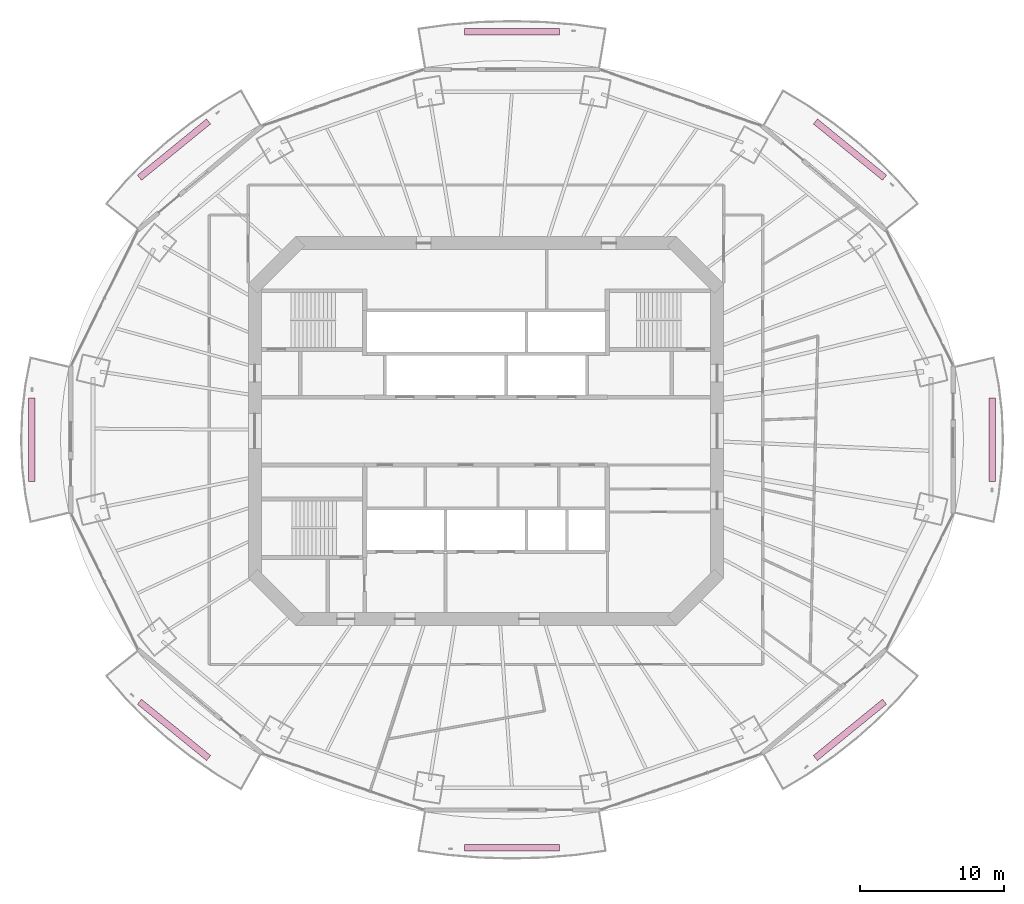
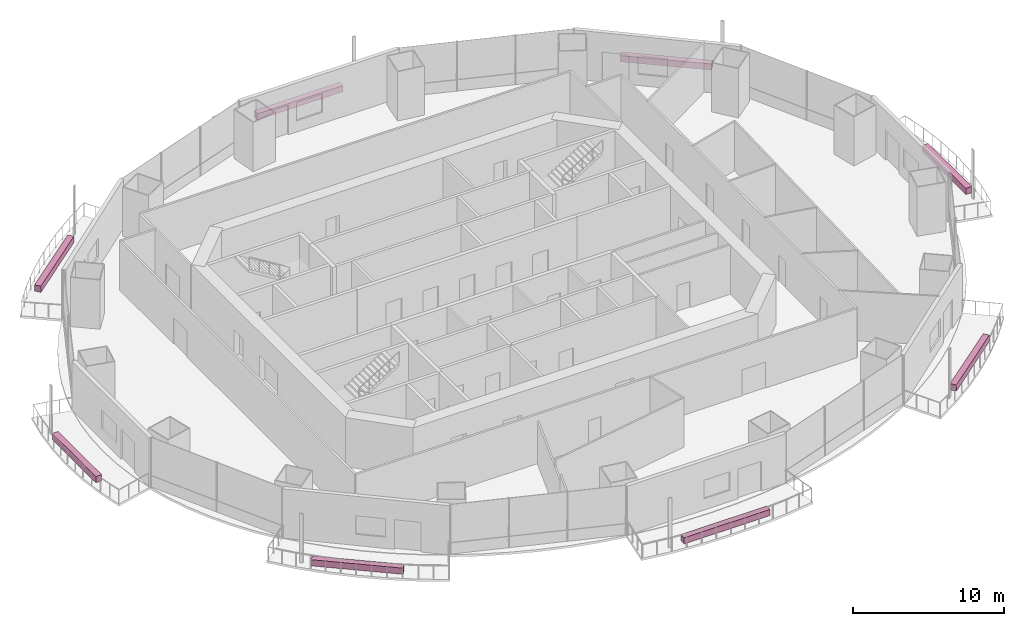
# One storey, part 20 of 20: 8 furnishings.
"""IFC4 building model written with IfcOpenShell, lengths in metres."""

from ifc_helpers import new_model, si_unit, direction, frame, origin, origin_2d, place, context, subcontext, project, spatial, rectangle, extrude, material, type_object, element, save


model = new_model("IFC4")

# Units and contexts
model_context = context("Model", 3, precision=1e-05, world=origin(), true_north=direction((0.0, 1.0)))
body_context = subcontext(model_context, "Body", "Model", "MODEL_VIEW")
ifc_project = project(units=[si_unit("LENGTHUNIT", "METRE"), si_unit("AREAUNIT", "SQUARE_METRE"), si_unit("VOLUMEUNIT", "CUBIC_METRE"), si_unit("PLANEANGLEUNIT", "RADIAN"), si_unit("MASSUNIT", "GRAM", prefix="KILO")], contexts=[model_context])

# Site, building, storey
site_placement = place(None, origin())
site = spatial("IfcSite", under=ifc_project, at=site_placement, CompositionType="ELEMENT")
building_placement = place(site_placement, origin())
building = spatial("IfcBuilding", under=site, at=building_placement, Name="Marenthal Gate Tower", CompositionType="ELEMENT")
storey_placement = place(building_placement, frame((0.0, 0.0, 219.14990234375)))
storey = spatial("IfcBuildingStorey", under=building, at=storey_placement, Name="L48", CompositionType="ELEMENT", Elevation=219.14990234375)

# Furnishings
ifc_material = material(Name="Planting soil and foliage", Category="planting")
furnishing_element_type = type_object("IfcFurnishingElementType", Name="Balcony PLANTER trough", material=ifc_material)
furnishing_1_placement = place(storey_placement, frame((25.189697265625, 19.4814453125, -0.039794921875), z_axis=(0.0, 0.0, 1.0), x_axis=(-0.775395522059, 0.631475877901, 0.0)))
element("IfcFurnishingElement", 1, at=furnishing_1_placement, inside=storey, type_object=furnishing_element_type, Name="Balcony PLANTER L48 bay 2", ObjectType="PLANTER", context=body_context, shape_type="SweptSolid", body=[
    extrude(rectangle(XDim=6.1689453125, YDim=0.449951171875, at=origin_2d()), origin(), (0.0, 0.0, 1.0), 0.5),
])
furnishing_2_placement = place(storey_placement, frame((1.800048828125, 27.64501953125, -0.039794921875), z_axis=(0.0, 0.0, 1.0), x_axis=(-1.0, 0.0, 0.0)))
element("IfcFurnishingElement", 2, at=furnishing_2_placement, inside=storey, type_object=furnishing_element_type, Name="Balcony PLANTER L48 bay 4", ObjectType="PLANTER", context=body_context, shape_type="SweptSolid", body=[
    extrude(rectangle(XDim=6.55810546875, YDim=0.449951171875, at=origin_2d()), origin(), (0.0, 0.0, 1.0), 0.5),
])
furnishing_3_placement = place(storey_placement, frame((-21.589599609375, 19.4814453125, -0.039794921875), z_axis=(0.0, 0.0, 1.0), x_axis=(-0.775395522059, -0.631475877901, 0.0)))
element("IfcFurnishingElement", 3, at=furnishing_3_placement, inside=storey, type_object=furnishing_element_type, Name="Balcony PLANTER L48 bay 6", ObjectType="PLANTER", context=body_context, shape_type="SweptSolid", body=[
    extrude(rectangle(XDim=6.1689453125, YDim=0.449951171875, at=origin_2d()), origin(), (0.0, 0.0, 1.0), 0.5),
])
furnishing_4_placement = place(storey_placement, frame((-31.445068359375, -0.60009765625, -0.039794921875), z_axis=(0.0, 0.0, 1.0), x_axis=(0.0, -1.0, 0.0)))
element("IfcFurnishingElement", 4, at=furnishing_4_placement, inside=storey, type_object=furnishing_element_type, Name="Balcony PLANTER L48 bay 8", ObjectType="PLANTER", context=body_context, shape_type="SweptSolid", body=[
    extrude(rectangle(XDim=5.766357421875, YDim=0.449951171875, at=origin_2d()), origin(), (0.0, 0.0, 1.0), 0.5),
])
furnishing_5_placement = place(storey_placement, frame((-21.589599609375, -20.681396484375, -0.039794921875), z_axis=(0.0, 0.0, 1.0), x_axis=(0.775395522059, -0.631475877901, 0.0)))
element("IfcFurnishingElement", 5, at=furnishing_5_placement, inside=storey, type_object=furnishing_element_type, Name="Balcony PLANTER L48 bay 10", ObjectType="PLANTER", context=body_context, shape_type="SweptSolid", body=[
    extrude(rectangle(XDim=6.1689453125, YDim=0.449951171875, at=origin_2d()), origin(), (0.0, 0.0, 1.0), 0.5),
])
furnishing_6_placement = place(storey_placement, frame((1.800048828125, -28.844970703125, -0.039794921875), z_axis=(0.0, 0.0, 1.0), x_axis=(1.0, 0.0, 0.0)))
element("IfcFurnishingElement", 6, at=furnishing_6_placement, inside=storey, type_object=furnishing_element_type, Name="Balcony PLANTER L48 bay 12", ObjectType="PLANTER", context=body_context, shape_type="SweptSolid", body=[
    extrude(rectangle(XDim=6.55810546875, YDim=0.449951171875, at=origin_2d()), origin(), (0.0, 0.0, 1.0), 0.5),
])
furnishing_7_placement = place(storey_placement, frame((25.189697265625, -20.681396484375, -0.039794921875), z_axis=(0.0, 0.0, 1.0), x_axis=(0.775395522059, 0.631475877901, 0.0)))
element("IfcFurnishingElement", 7, at=furnishing_7_placement, inside=storey, type_object=furnishing_element_type, Name="Balcony PLANTER L48 bay 14", ObjectType="PLANTER", context=body_context, shape_type="SweptSolid", body=[
    extrude(rectangle(XDim=6.1689453125, YDim=0.449951171875, at=origin_2d()), origin(), (0.0, 0.0, 1.0), 0.5),
])
furnishing_8_placement = place(storey_placement, frame((35.044921875, -0.60009765625, -0.039794921875), z_axis=(0.0, 0.0, 1.0), x_axis=(0.0, 1.0, 0.0)))
element("IfcFurnishingElement", 8, at=furnishing_8_placement, inside=storey, type_object=furnishing_element_type, Name="Balcony PLANTER L48 bay 16", ObjectType="PLANTER", context=body_context, shape_type="SweptSolid", body=[
    extrude(rectangle(XDim=5.766357421875, YDim=0.449951171875, at=origin_2d()), origin(), (0.0, 0.0, 1.0), 0.5),
])

save(model, "model.ifc")
